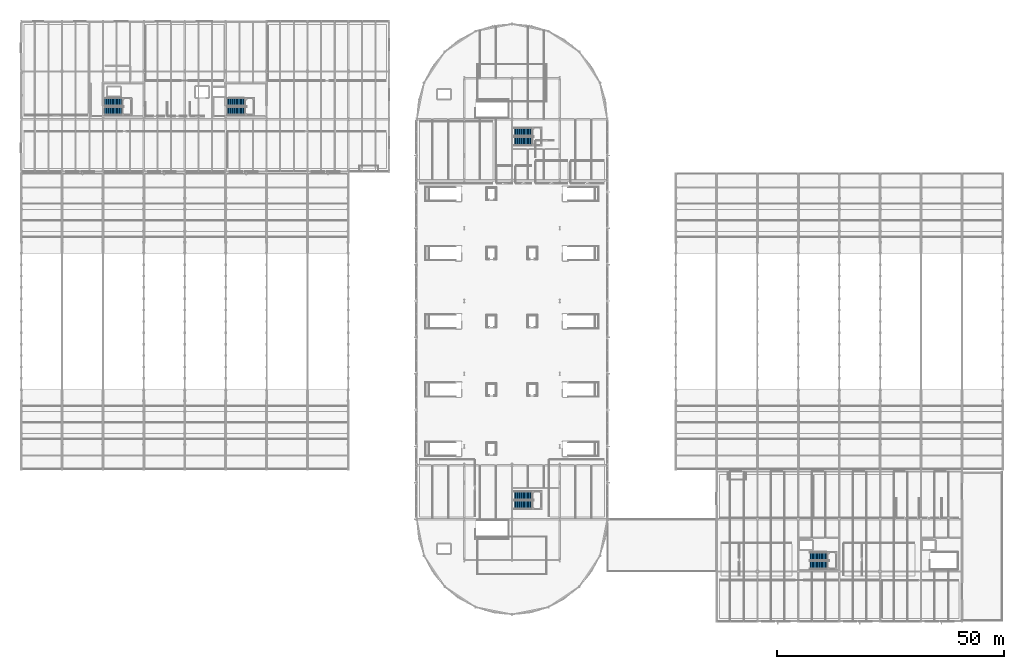
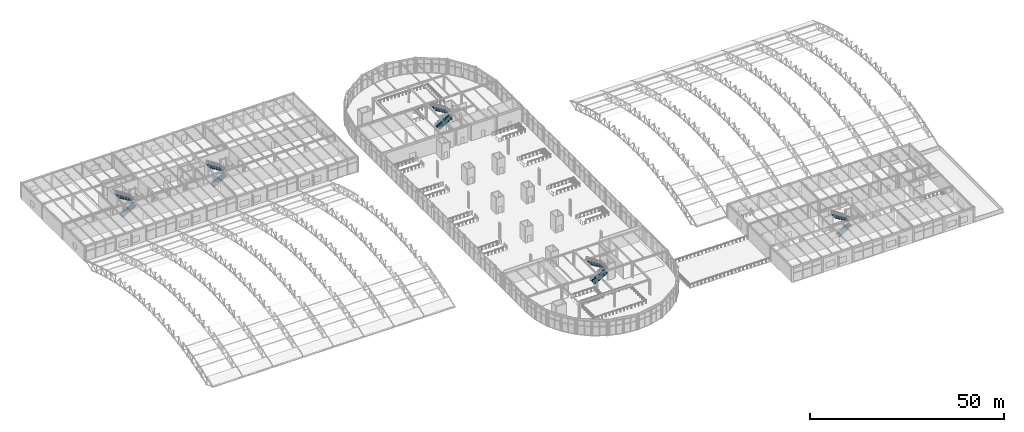
# One storey, part 116 of 195: 10 stair flights, 5 elements without a shape of their own.
"""IFC4 building model written with IfcOpenShell, lengths in metres."""

from ifc_helpers import new_model, si_unit, direction, frame, origin, place, context, subcontext, project, spatial, polyline, outline, extrude, material, type_object, element, aggregate, save


model = new_model("IFC4")

# Units and contexts
model_context = context("Model", 3, precision=1e-05, world=origin(), true_north=direction((0.0, 1.0)))
body_context = subcontext(model_context, "Body", "Model", "MODEL_VIEW")
ifc_project = project(units=[si_unit("LENGTHUNIT", "METRE"), si_unit("AREAUNIT", "SQUARE_METRE"), si_unit("VOLUMEUNIT", "CUBIC_METRE"), si_unit("PLANEANGLEUNIT", "RADIAN"), si_unit("MASSUNIT", "GRAM", prefix="KILO")], contexts=[model_context])

# Site, building, storey
site_placement = place(None, origin())
site = spatial("IfcSite", under=ifc_project, at=site_placement, CompositionType="ELEMENT")
building_placement = place(site_placement, origin())
building = spatial("IfcBuilding", under=site, at=building_placement, Name="Marlcrest Central Station", CompositionType="ELEMENT")
storey_placement = place(building_placement, frame((0.0, 0.0, 9.800048828125)))
storey = spatial("IfcBuildingStorey", under=building, at=storey_placement, Name="L02", CompositionType="ELEMENT", Elevation=9.800048828125)

# Stair, stair flights
ifc_material = material(Name="Concrete C35/45", Category="concrete")
stair_type_1 = type_object("IfcStairType", Name="ST-HTS", PredefinedType="HALF_TURN_STAIR", material=ifc_material)
stair_1_placement = place(storey_placement, origin())
stair_1 = element("IfcStair", 1, at=stair_1_placement, inside=storey, type_object=stair_type_1, Name="ST-R12", PredefinedType="HALF_TURN_STAIR")
stair_flight_type_1 = type_object("IfcStairFlightType", Name="SF-180", PredefinedType="STRAIGHT", material=ifc_material)
stair_flight_1_placement = place(storey_placement, frame((173.52001953125, 12.3701171875, 0.0), z_axis=(0.0, 0.0, 1.0), x_axis=(1.0, 0.0, 0.0)))
stair_flight_1 = element("IfcStairFlight", 2, at=stair_flight_1_placement, type_object=stair_flight_type_1, Name="ST-R12-F1", NumberOfRisers=15, NumberOfTreads=14, PredefinedType="STRAIGHT", RiserHeight=0.173333333, TreadLength=0.285, context=body_context, shape_type="SweptSolid", body=[
    extrude(outline(polyline([(0.0, 0.0), (0.0, 0.17333984375), (0.284912109375, 0.17333984375), (0.284912109375, 0.3466796875), (0.570068359375, 0.3466796875), (0.570068359375, 0.52001953125), (0.85498046875, 0.52001953125), (0.85498046875, 0.693359375), (1.139892578125, 0.693359375), (1.139892578125, 0.86669921875), (1.425048828125, 0.86669921875), (1.425048828125, 1.0400390625), (1.7099609375, 1.0400390625), (1.7099609375, 1.21337890625), (1.9951171875, 1.21337890625), (1.9951171875, 1.38671875), (2.280029296875, 1.38671875), (2.280029296875, 1.56005859375), (2.56494140625, 1.56005859375), (2.56494140625, 1.7333984375), (2.85009765625, 1.7333984375), (2.85009765625, 1.90673828125), (3.135009765625, 1.90673828125), (3.135009765625, 2.080078125), (3.419921875, 2.080078125), (3.419921875, 2.25341796875), (3.705078125, 2.25341796875), (3.705078125, 2.4267578125), (3.989990234375, 2.4267578125), (3.989990234375, 2.60009765625), (3.989990234375, 2.2333984375), (0.317626953125, 0.0), (0.0, 0.0)])), frame((0.0, 0.89990234375, 0.0), z_axis=(0.0, -1.0, 0.0), x_axis=(1.0, 0.0, 0.0)), (0.0, 0.0, 1.0), 1.800048828125),
])
stair_flight_2_placement = place(storey_placement, frame((177.510009765625, 14.330078125, 2.599853515625), z_axis=(0.0, 0.0, 1.0), x_axis=(-1.0, 0.0, 0.0)))
stair_flight_2 = element("IfcStairFlight", 3, at=stair_flight_2_placement, type_object=stair_flight_type_1, Name="ST-R12-F2", NumberOfRisers=15, NumberOfTreads=14, PredefinedType="STRAIGHT", RiserHeight=0.173333333, TreadLength=0.285, context=body_context, shape_type="SweptSolid", body=[
    extrude(outline(polyline([(0.0, 0.0), (0.0, 0.17333984375), (0.284912109375, 0.17333984375), (0.284912109375, 0.3466796875), (0.570068359375, 0.3466796875), (0.570068359375, 0.52001953125), (0.85498046875, 0.52001953125), (0.85498046875, 0.693359375), (1.139892578125, 0.693359375), (1.139892578125, 0.86669921875), (1.425048828125, 0.86669921875), (1.425048828125, 1.0400390625), (1.7099609375, 1.0400390625), (1.7099609375, 1.21337890625), (1.9951171875, 1.21337890625), (1.9951171875, 1.38671875), (2.280029296875, 1.38671875), (2.280029296875, 1.56005859375), (2.56494140625, 1.56005859375), (2.56494140625, 1.7333984375), (2.85009765625, 1.7333984375), (2.85009765625, 1.90673828125), (3.135009765625, 1.90673828125), (3.135009765625, 2.080078125), (3.419921875, 2.080078125), (3.419921875, 2.25341796875), (3.705078125, 2.25341796875), (3.705078125, 2.4267578125), (3.989990234375, 2.4267578125), (3.989990234375, 2.60009765625), (3.989990234375, 2.2333984375), (0.317626953125, 0.0), (0.0, 0.0)])), frame((0.0, 0.89990234375, 0.0), z_axis=(0.0, -1.0, 0.0), x_axis=(1.0, 0.0, 0.0)), (0.0, 0.0, 1.0), 1.800048828125),
])
aggregate(stair_1, [stair_flight_1, stair_flight_2])

stair_2_placement = place(storey_placement, origin())
stair_2 = element("IfcStair", 4, at=stair_2_placement, inside=storey, type_object=stair_type_1, Name="ST-W12", PredefinedType="HALF_TURN_STAIR")
stair_flight_3_placement = place(storey_placement, frame((18.3701171875, 112.27001953125, 0.0), z_axis=(0.0, 0.0, 1.0), x_axis=(1.0, 0.0, 0.0)))
stair_flight_3 = element("IfcStairFlight", 5, at=stair_flight_3_placement, type_object=stair_flight_type_1, Name="ST-W12-F1", NumberOfRisers=15, NumberOfTreads=14, PredefinedType="STRAIGHT", RiserHeight=0.173333333, TreadLength=0.285, context=body_context, shape_type="SweptSolid", body=[
    extrude(outline(polyline([(0.0, 0.0), (0.0, 0.17333984375), (0.284912109375, 0.17333984375), (0.284912109375, 0.3466796875), (0.570068359375, 0.3466796875), (0.570068359375, 0.52001953125), (0.85498046875, 0.52001953125), (0.85498046875, 0.693359375), (1.139892578125, 0.693359375), (1.139892578125, 0.86669921875), (1.425048828125, 0.86669921875), (1.425048828125, 1.0400390625), (1.7099609375, 1.0400390625), (1.7099609375, 1.21337890625), (1.9951171875, 1.21337890625), (1.9951171875, 1.38671875), (2.280029296875, 1.38671875), (2.280029296875, 1.56005859375), (2.56494140625, 1.56005859375), (2.56494140625, 1.7333984375), (2.85009765625, 1.7333984375), (2.85009765625, 1.90673828125), (3.135009765625, 1.90673828125), (3.135009765625, 2.080078125), (3.419921875, 2.080078125), (3.419921875, 2.25341796875), (3.705078125, 2.25341796875), (3.705078125, 2.4267578125), (3.989990234375, 2.4267578125), (3.989990234375, 2.60009765625), (3.989990234375, 2.2333984375), (0.317626953125, 0.0), (0.0, 0.0)])), frame((0.0, 0.89990234375, 0.0), z_axis=(0.0, -1.0, 0.0), x_axis=(1.0, 0.0, 0.0)), (0.0, 0.0, 1.0), 1.800048828125),
])
stair_flight_4_placement = place(storey_placement, frame((22.360107421875, 114.22998046875, 2.599853515625), z_axis=(0.0, 0.0, 1.0), x_axis=(-1.0, 0.0, 0.0)))
stair_flight_4 = element("IfcStairFlight", 6, at=stair_flight_4_placement, type_object=stair_flight_type_1, Name="ST-W12-F2", NumberOfRisers=15, NumberOfTreads=14, PredefinedType="STRAIGHT", RiserHeight=0.173333333, TreadLength=0.285, context=body_context, shape_type="SweptSolid", body=[
    extrude(outline(polyline([(0.0, 0.0), (0.0, 0.17333984375), (0.284912109375, 0.17333984375), (0.284912109375, 0.3466796875), (0.570068359375, 0.3466796875), (0.570068359375, 0.52001953125), (0.85498046875, 0.52001953125), (0.85498046875, 0.693359375), (1.139892578125, 0.693359375), (1.139892578125, 0.86669921875), (1.425048828125, 0.86669921875), (1.425048828125, 1.0400390625), (1.7099609375, 1.0400390625), (1.7099609375, 1.21337890625), (1.9951171875, 1.21337890625), (1.9951171875, 1.38671875), (2.280029296875, 1.38671875), (2.280029296875, 1.56005859375), (2.56494140625, 1.56005859375), (2.56494140625, 1.7333984375), (2.85009765625, 1.7333984375), (2.85009765625, 1.90673828125), (3.135009765625, 1.90673828125), (3.135009765625, 2.080078125), (3.419921875, 2.080078125), (3.419921875, 2.25341796875), (3.705078125, 2.25341796875), (3.705078125, 2.4267578125), (3.989990234375, 2.4267578125), (3.989990234375, 2.60009765625), (3.989990234375, 2.2333984375), (0.317626953125, 0.0), (0.0, 0.0)])), frame((0.0, 0.89990234375, 0.0), z_axis=(0.0, -1.0, 0.0), x_axis=(1.0, 0.0, 0.0)), (0.0, 0.0, 1.0), 1.800048828125),
])
aggregate(stair_2, [stair_flight_3, stair_flight_4])

stair_3_placement = place(storey_placement, origin())
stair_3 = element("IfcStair", 7, at=stair_3_placement, inside=storey, type_object=stair_type_1, Name="ST-W22", PredefinedType="HALF_TURN_STAIR")
stair_flight_5_placement = place(storey_placement, frame((45.3701171875, 112.27001953125, 0.0), z_axis=(0.0, 0.0, 1.0), x_axis=(1.0, 0.0, 0.0)))
stair_flight_5 = element("IfcStairFlight", 8, at=stair_flight_5_placement, type_object=stair_flight_type_1, Name="ST-W22-F1", NumberOfRisers=15, NumberOfTreads=14, PredefinedType="STRAIGHT", RiserHeight=0.173333333, TreadLength=0.285, context=body_context, shape_type="SweptSolid", body=[
    extrude(outline(polyline([(0.0, 0.0), (0.0, 0.17333984375), (0.284912109375, 0.17333984375), (0.284912109375, 0.3466796875), (0.570068359375, 0.3466796875), (0.570068359375, 0.52001953125), (0.85498046875, 0.52001953125), (0.85498046875, 0.693359375), (1.139892578125, 0.693359375), (1.139892578125, 0.86669921875), (1.425048828125, 0.86669921875), (1.425048828125, 1.0400390625), (1.7099609375, 1.0400390625), (1.7099609375, 1.21337890625), (1.9951171875, 1.21337890625), (1.9951171875, 1.38671875), (2.280029296875, 1.38671875), (2.280029296875, 1.56005859375), (2.56494140625, 1.56005859375), (2.56494140625, 1.7333984375), (2.85009765625, 1.7333984375), (2.85009765625, 1.90673828125), (3.135009765625, 1.90673828125), (3.135009765625, 2.080078125), (3.419921875, 2.080078125), (3.419921875, 2.25341796875), (3.705078125, 2.25341796875), (3.705078125, 2.4267578125), (3.989990234375, 2.4267578125), (3.989990234375, 2.60009765625), (3.989990234375, 2.2333984375), (0.317626953125, 0.0), (0.0, 0.0)])), frame((0.0, 0.89990234375, 0.0), z_axis=(0.0, -1.0, 0.0), x_axis=(1.0, 0.0, 0.0)), (0.0, 0.0, 1.0), 1.800048828125),
])
stair_flight_6_placement = place(storey_placement, frame((49.360107421875, 114.22998046875, 2.599853515625), z_axis=(0.0, 0.0, 1.0), x_axis=(-1.0, 0.0, 0.0)))
stair_flight_6 = element("IfcStairFlight", 9, at=stair_flight_6_placement, type_object=stair_flight_type_1, Name="ST-W22-F2", NumberOfRisers=15, NumberOfTreads=14, PredefinedType="STRAIGHT", RiserHeight=0.173333333, TreadLength=0.285, context=body_context, shape_type="SweptSolid", body=[
    extrude(outline(polyline([(0.0, 0.0), (0.0, 0.17333984375), (0.284912109375, 0.17333984375), (0.284912109375, 0.3466796875), (0.570068359375, 0.3466796875), (0.570068359375, 0.52001953125), (0.85498046875, 0.52001953125), (0.85498046875, 0.693359375), (1.139892578125, 0.693359375), (1.139892578125, 0.86669921875), (1.425048828125, 0.86669921875), (1.425048828125, 1.0400390625), (1.7099609375, 1.0400390625), (1.7099609375, 1.21337890625), (1.9951171875, 1.21337890625), (1.9951171875, 1.38671875), (2.280029296875, 1.38671875), (2.280029296875, 1.56005859375), (2.56494140625, 1.56005859375), (2.56494140625, 1.7333984375), (2.85009765625, 1.7333984375), (2.85009765625, 1.90673828125), (3.135009765625, 1.90673828125), (3.135009765625, 2.080078125), (3.419921875, 2.080078125), (3.419921875, 2.25341796875), (3.705078125, 2.25341796875), (3.705078125, 2.4267578125), (3.989990234375, 2.4267578125), (3.989990234375, 2.60009765625), (3.989990234375, 2.2333984375), (0.317626953125, 0.0), (0.0, 0.0)])), frame((0.0, 0.89990234375, 0.0), z_axis=(0.0, -1.0, 0.0), x_axis=(1.0, 0.0, 0.0)), (0.0, 0.0, 1.0), 1.800048828125),
])
aggregate(stair_3, [stair_flight_5, stair_flight_6])

stair_type_2 = type_object("IfcStairType", Name="ST-HTM", PredefinedType="HALF_TURN_STAIR", material=ifc_material)
stair_4_placement = place(storey_placement, origin())
stair_4 = element("IfcStair", 10, at=stair_4_placement, inside=storey, type_object=stair_type_2, Name="ST-C21", PredefinedType="HALF_TURN_STAIR")
stair_flight_type_2 = type_object("IfcStairFlightType", Name="SF-200", PredefinedType="STRAIGHT", material=ifc_material)
stair_flight_7_placement = place(storey_placement, frame((108.52001953125, 25.6201171875, 0.0), z_axis=(0.0, 0.0, 1.0), x_axis=(1.0, 0.0, 0.0)))
stair_flight_7 = element("IfcStairFlight", 11, at=stair_flight_7_placement, type_object=stair_flight_type_2, Name="ST-C21-F1", NumberOfRisers=15, NumberOfTreads=14, PredefinedType="STRAIGHT", RiserHeight=0.173333333, TreadLength=0.285, context=body_context, shape_type="SweptSolid", body=[
    extrude(outline(polyline([(0.0, 0.0), (0.0, 0.17333984375), (0.284912109375, 0.17333984375), (0.284912109375, 0.3466796875), (0.570068359375, 0.3466796875), (0.570068359375, 0.52001953125), (0.85498046875, 0.52001953125), (0.85498046875, 0.693359375), (1.139892578125, 0.693359375), (1.139892578125, 0.86669921875), (1.425048828125, 0.86669921875), (1.425048828125, 1.0400390625), (1.7099609375, 1.0400390625), (1.7099609375, 1.21337890625), (1.9951171875, 1.21337890625), (1.9951171875, 1.38671875), (2.280029296875, 1.38671875), (2.280029296875, 1.56005859375), (2.56494140625, 1.56005859375), (2.56494140625, 1.7333984375), (2.85009765625, 1.7333984375), (2.85009765625, 1.90673828125), (3.135009765625, 1.90673828125), (3.135009765625, 2.080078125), (3.419921875, 2.080078125), (3.419921875, 2.25341796875), (3.705078125, 2.25341796875), (3.705078125, 2.4267578125), (3.989990234375, 2.4267578125), (3.989990234375, 2.60009765625), (3.989990234375, 2.2333984375), (0.317626953125, 0.0), (0.0, 0.0)])), frame((0.0, 0.949951171875, 0.0), z_axis=(0.0, -1.0, 0.0), x_axis=(1.0, 0.0, 0.0)), (0.0, 0.0, 1.0), 1.89990234375),
])
stair_flight_8_placement = place(storey_placement, frame((112.510009765625, 27.679931640625, 2.599853515625), z_axis=(0.0, 0.0, 1.0), x_axis=(-1.0, 0.0, 0.0)))
stair_flight_8 = element("IfcStairFlight", 12, at=stair_flight_8_placement, type_object=stair_flight_type_2, Name="ST-C21-F2", NumberOfRisers=15, NumberOfTreads=14, PredefinedType="STRAIGHT", RiserHeight=0.173333333, TreadLength=0.285, context=body_context, shape_type="SweptSolid", body=[
    extrude(outline(polyline([(0.0, 0.0), (0.0, 0.17333984375), (0.284912109375, 0.17333984375), (0.284912109375, 0.3466796875), (0.570068359375, 0.3466796875), (0.570068359375, 0.52001953125), (0.85498046875, 0.52001953125), (0.85498046875, 0.693359375), (1.139892578125, 0.693359375), (1.139892578125, 0.86669921875), (1.425048828125, 0.86669921875), (1.425048828125, 1.0400390625), (1.7099609375, 1.0400390625), (1.7099609375, 1.21337890625), (1.9951171875, 1.21337890625), (1.9951171875, 1.38671875), (2.280029296875, 1.38671875), (2.280029296875, 1.56005859375), (2.56494140625, 1.56005859375), (2.56494140625, 1.7333984375), (2.85009765625, 1.7333984375), (2.85009765625, 1.90673828125), (3.135009765625, 1.90673828125), (3.135009765625, 2.080078125), (3.419921875, 2.080078125), (3.419921875, 2.25341796875), (3.705078125, 2.25341796875), (3.705078125, 2.4267578125), (3.989990234375, 2.4267578125), (3.989990234375, 2.60009765625), (3.989990234375, 2.2333984375), (0.317626953125, 0.0), (0.0, 0.0)])), frame((0.0, 0.949951171875, 0.0), z_axis=(0.0, -1.0, 0.0), x_axis=(1.0, 0.0, 0.0)), (0.0, 0.0, 1.0), 1.89990234375),
])
aggregate(stair_4, [stair_flight_7, stair_flight_8])

stair_5_placement = place(storey_placement, origin())
stair_5 = element("IfcStair", 13, at=stair_5_placement, inside=storey, type_object=stair_type_2, Name="ST-C22", PredefinedType="HALF_TURN_STAIR")
stair_flight_9_placement = place(storey_placement, frame((108.52001953125, 105.6201171875, 0.0), z_axis=(0.0, 0.0, 1.0), x_axis=(1.0, 0.0, 0.0)))
stair_flight_9 = element("IfcStairFlight", 14, at=stair_flight_9_placement, type_object=stair_flight_type_2, Name="ST-C22-F1", NumberOfRisers=15, NumberOfTreads=14, PredefinedType="STRAIGHT", RiserHeight=0.173333333, TreadLength=0.285, context=body_context, shape_type="SweptSolid", body=[
    extrude(outline(polyline([(0.0, 0.0), (0.0, 0.17333984375), (0.284912109375, 0.17333984375), (0.284912109375, 0.3466796875), (0.570068359375, 0.3466796875), (0.570068359375, 0.52001953125), (0.85498046875, 0.52001953125), (0.85498046875, 0.693359375), (1.139892578125, 0.693359375), (1.139892578125, 0.86669921875), (1.425048828125, 0.86669921875), (1.425048828125, 1.0400390625), (1.7099609375, 1.0400390625), (1.7099609375, 1.21337890625), (1.9951171875, 1.21337890625), (1.9951171875, 1.38671875), (2.280029296875, 1.38671875), (2.280029296875, 1.56005859375), (2.56494140625, 1.56005859375), (2.56494140625, 1.7333984375), (2.85009765625, 1.7333984375), (2.85009765625, 1.90673828125), (3.135009765625, 1.90673828125), (3.135009765625, 2.080078125), (3.419921875, 2.080078125), (3.419921875, 2.25341796875), (3.705078125, 2.25341796875), (3.705078125, 2.4267578125), (3.989990234375, 2.4267578125), (3.989990234375, 2.60009765625), (3.989990234375, 2.2333984375), (0.317626953125, 0.0), (0.0, 0.0)])), frame((0.0, 0.949951171875, 0.0), z_axis=(0.0, -1.0, 0.0), x_axis=(1.0, 0.0, 0.0)), (0.0, 0.0, 1.0), 1.89990234375),
])
stair_flight_10_placement = place(storey_placement, frame((112.510009765625, 107.679931640625, 2.599853515625), z_axis=(0.0, 0.0, 1.0), x_axis=(-1.0, 0.0, 0.0)))
stair_flight_10 = element("IfcStairFlight", 15, at=stair_flight_10_placement, type_object=stair_flight_type_2, Name="ST-C22-F2", NumberOfRisers=15, NumberOfTreads=14, PredefinedType="STRAIGHT", RiserHeight=0.173333333, TreadLength=0.285, context=body_context, shape_type="SweptSolid", body=[
    extrude(outline(polyline([(0.0, 0.0), (0.0, 0.17333984375), (0.284912109375, 0.17333984375), (0.284912109375, 0.3466796875), (0.570068359375, 0.3466796875), (0.570068359375, 0.52001953125), (0.85498046875, 0.52001953125), (0.85498046875, 0.693359375), (1.139892578125, 0.693359375), (1.139892578125, 0.86669921875), (1.425048828125, 0.86669921875), (1.425048828125, 1.0400390625), (1.7099609375, 1.0400390625), (1.7099609375, 1.21337890625), (1.9951171875, 1.21337890625), (1.9951171875, 1.38671875), (2.280029296875, 1.38671875), (2.280029296875, 1.56005859375), (2.56494140625, 1.56005859375), (2.56494140625, 1.7333984375), (2.85009765625, 1.7333984375), (2.85009765625, 1.90673828125), (3.135009765625, 1.90673828125), (3.135009765625, 2.080078125), (3.419921875, 2.080078125), (3.419921875, 2.25341796875), (3.705078125, 2.25341796875), (3.705078125, 2.4267578125), (3.989990234375, 2.4267578125), (3.989990234375, 2.60009765625), (3.989990234375, 2.2333984375), (0.317626953125, 0.0), (0.0, 0.0)])), frame((0.0, 0.949951171875, 0.0), z_axis=(0.0, -1.0, 0.0), x_axis=(1.0, 0.0, 0.0)), (0.0, 0.0, 1.0), 1.89990234375),
])
aggregate(stair_5, [stair_flight_9, stair_flight_10])

save(model, "model.ifc")
